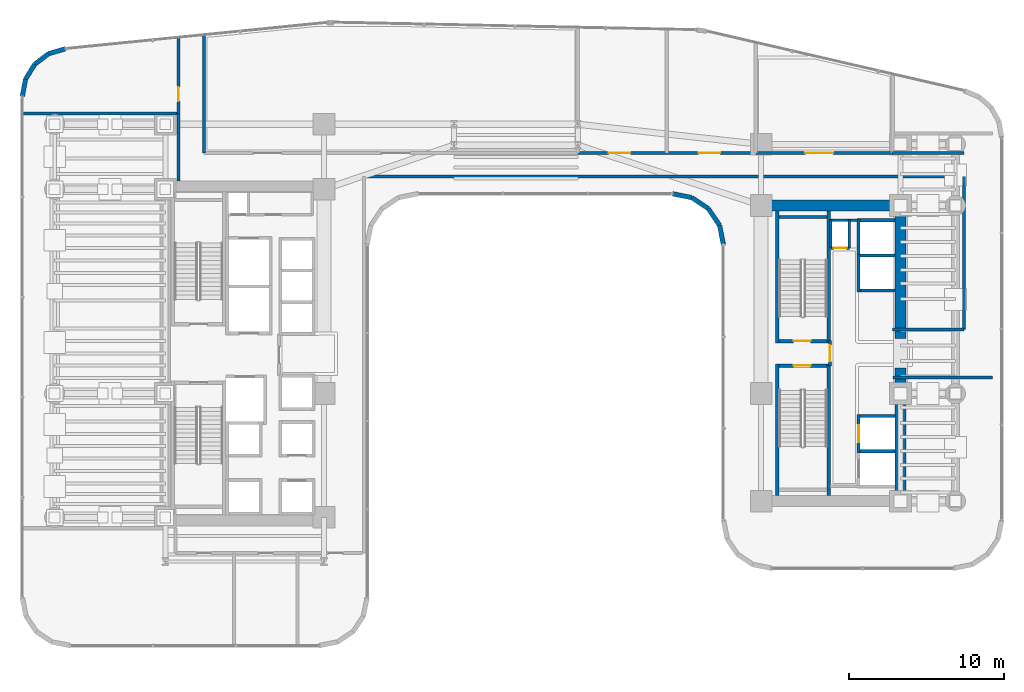
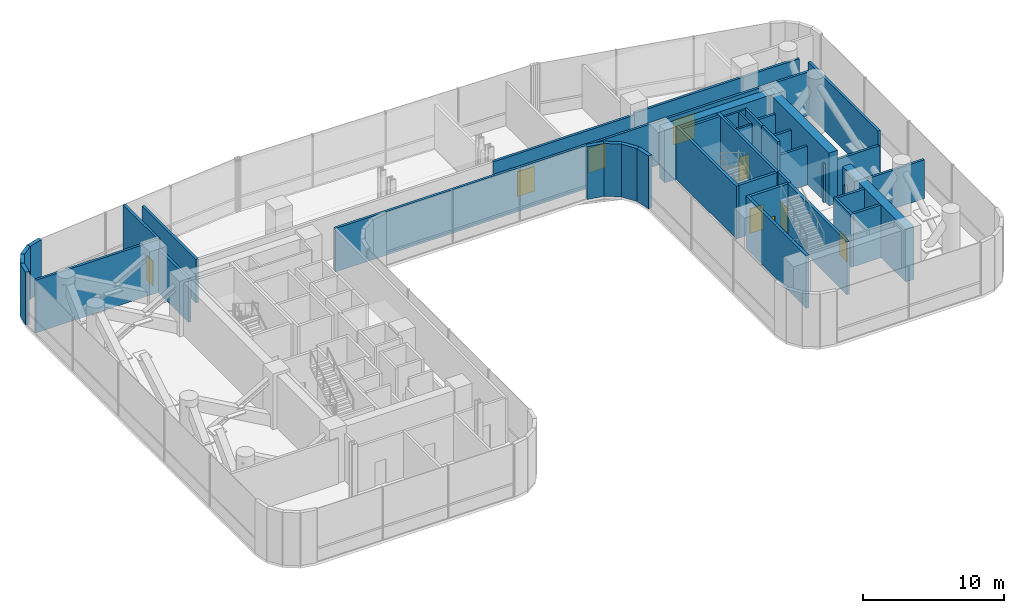
# One storey, part 34 of 39: 42 walls, 9 doors, 9 openings.
"""IFC4 building model written with IfcOpenShell, lengths in metres."""

from ifc_helpers import new_model, si_unit, direction, frame, frame_2d, origin, place, context, subcontext, project, spatial, rectangle, extrude, material, layer, layer_set, type_object, element, fill, save


model = new_model("IFC4")

# Units and contexts
model_context = context("Model", 3, precision=1e-05, world=origin(), true_north=direction((0.0, 1.0)))
body_context = subcontext(model_context, "Body", "Model", "MODEL_VIEW")
ifc_project = project(units=[si_unit("LENGTHUNIT", "METRE"), si_unit("AREAUNIT", "SQUARE_METRE"), si_unit("VOLUMEUNIT", "CUBIC_METRE"), si_unit("PLANEANGLEUNIT", "RADIAN"), si_unit("MASSUNIT", "GRAM", prefix="KILO")], contexts=[model_context])

# Site, building, storey
site_placement = place(None, origin())
site = spatial("IfcSite", under=ifc_project, at=site_placement, CompositionType="ELEMENT")
building_placement = place(site_placement, origin())
building = spatial("IfcBuilding", under=site, at=building_placement, Name="Valdorenza Pilgrim Sanctuary Tower", CompositionType="ELEMENT")
storey_placement = place(building_placement, frame((0.0, 0.0, 96.300048828125)))
storey = spatial("IfcBuildingStorey", under=building, at=storey_placement, Name="L24", CompositionType="ELEMENT", Elevation=96.300048828125)

# Wall, opening, door
ifc_material_1 = material(Name="Acoustic twin-stud gypsum partition", Category="gypsum")
ifc_layer_1 = layer(ifc_material_1, 0.159912109375, Name="Acoustic twin-stud gypsum partition")
ifc_layer_set_1 = layer_set([ifc_layer_1], Name="Acoustic twin-stud gypsum partition")
wall_type_1 = type_object("IfcWallType", Name="WAL-COR-160", PredefinedType="PARTITIONING", material=ifc_layer_set_1)
wall_1_placement = place(storey_placement, frame((20.35009765625, 6.800048828125, 0.0), z_axis=(0.0, 0.0, 1.0), x_axis=(1.0, 0.0, 0.0)))
wall_1 = element("IfcWall", 1, at=wall_1_placement, inside=storey, type_object=wall_type_1, Name="L24 Core B Riser South Wall", PredefinedType="PARTITIONING", context=body_context, shape_type="SweptSolid", body=[
    extrude(rectangle(XDim=1.199951171875, YDim=0.159912109375, at=frame_2d((0.60009765625, 0.0))), origin(), (0.0, 0.0, 1.0), 4.56005859375),
])
opening_1_placement = place(wall_1_placement, frame((0.175048828125, 0.0, 0.0)))
opening_1 = element("IfcOpeningElement", 2, at=opening_1_placement, cuts=wall_1, Name="Opening DR-RS1", PredefinedType="OPENING", context=body_context, shape_type="SweptSolid", body=[
    extrude(rectangle(XDim=0.85009765625, YDim=2.050048828125, at=frame_2d((0.425048828125, 1.02490234375))), frame((0.0, 0.0947265625, 0.0), z_axis=(0.0, -1.0, 0.0), x_axis=(1.0, 0.0, 0.0)), (0.0, 0.0, 1.0), 0.189697265625),
])
ifc_material_2 = material(Name="Painted galvanized steel", Category="steel")
door_type_1 = type_object("IfcDoorType", Name="DR-RSR-850", OperationType="NOTDEFINED", PredefinedType="DOOR", material=ifc_material_2)
door_1_placement = place(opening_1_placement, origin())
door_1 = element("IfcDoor", 3, at=door_1_placement, inside=storey, type_object=door_type_1, Name="L24 Core B Electrical Riser Door", OperationType="SINGLE_SWING_RIGHT", OverallHeight=2.050048828125, OverallWidth=0.85009765625, PredefinedType="DOOR", context=body_context, shape_type="SweptSolid", body=[
    extrude(rectangle(XDim=0.85009765625, YDim=2.050048828125, at=frame_2d((0.425048828125, 1.02490234375))), frame((0.0, 0.02490234375, 0.0), z_axis=(0.0, -1.0, 0.0), x_axis=(1.0, 0.0, 0.0)), (0.0, 0.0, 1.0), 0.050048828125),
])
fill(opening_1, door_1)

# Walls
for number, where, z_axis, x_axis, name in (
    (4, (21.550048828125, 6.800048828125, 0.0), (0.0, 0.0, 1.0), (0.0, 1.0, 0.0), "L24 Core B Riser East Wall"),
    (5, (20.35009765625, 6.800048828125, 0.0), (0.0, 0.0, 1.0), (0.0, 1.0, 0.0), "L24 Core B Riser West Wall"),
):
    element("IfcWall", number, at=place(storey_placement, frame(where, z_axis=z_axis, x_axis=x_axis)), inside=storey, type_object=wall_type_1, Name=name, PredefinedType="PARTITIONING", context=body_context, shape_type="SweptSolid", body=[
        extrude(rectangle(XDim=1.800048828125, YDim=0.159912109375, at=frame_2d((0.89990234375, 0.0))), origin(), (0.0, 0.0, 1.0), 4.56005859375),
    ])
wall_2_placement = place(storey_placement, frame((20.300048828125, 8.60009765625, 0.0), z_axis=(0.0, 0.0, 1.0), x_axis=(1.0, 0.0, 0.0)))
element("IfcWall", 6, at=wall_2_placement, inside=storey, type_object=wall_type_1, Name="L24 Core B Lift Hall North End Wall", PredefinedType="PARTITIONING", context=body_context, shape_type="SweptSolid", body=[
    extrude(rectangle(XDim=1.820068359375, YDim=0.159912109375, at=frame_2d((0.91015625, 0.0))), origin(), (0.0, 0.0, 1.0), 4.56005859375),
])
ifc_material_3 = material(Name="Concrete C60/75", Category="concrete")
ifc_layer_2 = layer(ifc_material_3, 0.699951171875, Name="Concrete C60/75")
ifc_layer_set_2 = layer_set([ifc_layer_2], Name="Concrete C60/75")
wall_type_2 = type_object("IfcWallType", Name="WAL-COR-700", PredefinedType="SHEAR", material=ifc_layer_set_2)
for number, where, z_axis, x_axis, name in (
    (7, (24.85009765625, -9.89990234375, 0.0), (0.0, 0.0, 1.0), (0.0, 1.0, 0.0), "L24 Split Core B Shear Wall ES"),
    (8, (24.85009765625, 0.949951171875, 0.0), (0.0, 0.0, 1.0), (0.0, 1.0, 0.0), "L24 Split Core B Shear Wall EN"),
):
    element("IfcWall", number, at=place(storey_placement, frame(where, z_axis=z_axis, x_axis=x_axis)), inside=storey, type_object=wall_type_2, Name=name, PredefinedType="SHEAR", context=body_context, shape_type="SweptSolid", body=[
        extrude(rectangle(XDim=8.949951171875, YDim=0.699951171875, at=frame_2d((4.47509765625, 0.0))), origin(), (0.0, 0.0, 1.0), 4.56005859375),
    ])
wall_3_placement = place(storey_placement, frame((15.85009765625, 9.550048828125, 0.0), z_axis=(0.0, 0.0, 1.0), x_axis=(1.0, 0.0, 0.0)))
element("IfcWall", 9, at=wall_3_placement, inside=storey, type_object=wall_type_2, Name="L24 Split Core B Shear Wall N", PredefinedType="SHEAR", context=body_context, shape_type="SweptSolid", body=[
    extrude(rectangle(XDim=9.0, YDim=0.699951171875, at=frame_2d((4.5, 0.0))), origin(), (0.0, 0.0, 1.0), 4.56005859375),
])
ifc_material_4 = material(Name="Honed travertine limestone", Category="masonry")
ifc_layer_3 = layer(ifc_material_4, 0.300048828125, Name="Honed travertine limestone")
ifc_layer_set_3 = layer_set([ifc_layer_3], Name="Honed travertine limestone")
wall_type_3 = type_object("IfcWallType", Name="WAL-EXT-300", PredefinedType="SOLIDWALL", material=ifc_layer_set_3)
wall_4_placement = place(storey_placement, frame((-31.889892578125, 16.593994140625, 0.0), z_axis=(0.0, 0.0, 1.0), x_axis=(0.182748995683, 0.9831596028, 0.0)))
element("IfcWall", 10, at=wall_4_placement, inside=storey, type_object=wall_type_3, Name="L24 Rounded Wind-Corner Stone Pier 2", PredefinedType="SOLIDWALL", context=body_context, shape_type="SweptSolid", body=[
    extrude(rectangle(XDim=1.1396484375, YDim=0.300048828125, at=frame_2d((0.56982421875, 0.0))), origin(), (0.0, 0.0, 1.0), 4.56005859375),
])
wall_5_placement = place(storey_placement, frame((-31.681640625, 17.71435546875, 0.0), z_axis=(0.0, 0.0, 1.0), x_axis=(0.524157723014, 0.8516212077, 0.0)))
element("IfcWall", 11, at=wall_5_placement, inside=storey, type_object=wall_type_3, Name="L24 Rounded Wind-Corner Stone Pier 3", PredefinedType="SOLIDWALL", context=body_context, shape_type="SweptSolid", body=[
    extrude(rectangle(XDim=1.12939453125, YDim=0.300048828125, at=frame_2d((0.564697265625, 0.0))), origin(), (0.0, 0.0, 1.0), 4.56005859375),
])
wall_6_placement = place(storey_placement, frame((-31.089599609375, 18.67626953125, 0.0), z_axis=(0.0, 0.0, 1.0), x_axis=(0.795253002434, 0.606277710393, 0.0)))
element("IfcWall", 12, at=wall_6_placement, inside=storey, type_object=wall_type_3, Name="L24 Rounded Wind-Corner Stone Pier 4", PredefinedType="SOLIDWALL", context=body_context, shape_type="SweptSolid", body=[
    extrude(rectangle(XDim=1.129150390625, YDim=0.300048828125, at=frame_2d((0.564453125, 0.0))), origin(), (0.0, 0.0, 1.0), 4.56005859375),
])
wall_7_placement = place(storey_placement, frame((-30.191650390625, 19.36083984375, 0.0), z_axis=(0.0, 0.0, 1.0), x_axis=(0.960071941549, 0.279753225271, 0.0)))
element("IfcWall", 13, at=wall_7_placement, inside=storey, type_object=wall_type_3, Name="L24 Rounded Wind-Corner Stone Pier 5", PredefinedType="SOLIDWALL", context=body_context, shape_type="SweptSolid", body=[
    extrude(rectangle(XDim=1.1396484375, YDim=0.300048828125, at=frame_2d((0.56982421875, 0.0))), origin(), (0.0, 0.0, 1.0), 4.56005859375),
])
wall_8_placement = place(storey_placement, frame((13.409912109375, 7.0107421875, 0.0), z_axis=(0.0, 0.0, 1.0), x_axis=(-0.195090163074, 0.980785312019, 0.0)))
element("IfcWall", 14, at=wall_8_placement, inside=storey, type_object=wall_type_3, Name="L24 Rounded Wind-Corner Stone Pier 32", PredefinedType="SOLIDWALL", context=body_context, shape_type="SweptSolid", body=[
    extrude(rectangle(XDim=1.281494140625, YDim=0.300048828125, at=frame_2d((0.640625, 0.0))), origin(), (0.0, 0.0, 1.0), 4.56005859375),
])
for number, where, z_axis, x_axis, name in (
    (15, (13.159912109375, 8.267578125, 0.0), (0.0, 0.0, 1.0), (-0.555615398575, 0.831439431869, 0.0), "L24 Rounded Wind-Corner Stone Pier 33"),
    (16, (12.44189453125, 9.342041015625, 0.0), (0.0, 0.0, 1.0), (-0.831439431869, 0.555615398575, 0.0), "L24 Rounded Wind-Corner Stone Pier 34"),
):
    element("IfcWall", number, at=place(storey_placement, frame(where, z_axis=z_axis, x_axis=x_axis)), inside=storey, type_object=wall_type_3, Name=name, PredefinedType="SOLIDWALL", context=body_context, shape_type="SweptSolid", body=[
        extrude(rectangle(XDim=1.292236328125, YDim=0.300048828125, at=frame_2d((0.64599609375, 0.0))), origin(), (0.0, 0.0, 1.0), 4.56005859375),
    ])
wall_9_placement = place(storey_placement, frame((11.367431640625, 10.06005859375, 0.0), z_axis=(0.0, 0.0, 1.0), x_axis=(-0.980778058848, 0.195126623715, 0.0)))
element("IfcWall", 17, at=wall_9_placement, inside=storey, type_object=wall_type_3, Name="L24 Rounded Wind-Corner Stone Pier 35", PredefinedType="SOLIDWALL", context=body_context, shape_type="SweptSolid", body=[
    extrude(rectangle(XDim=1.28125, YDim=0.300048828125, at=frame_2d((0.640625, 0.0))), origin(), (0.0, 0.0, 1.0), 4.56005859375),
])

# Wall, opening, door
ifc_material_5 = material(Name="Gypsum shaftwall partition", Category="gypsum")
ifc_layer_4 = layer(ifc_material_5, 0.199951171875, Name="Gypsum shaftwall partition")
ifc_layer_set_4 = layer_set([ifc_layer_4], Name="Gypsum shaftwall partition")
wall_type_4 = type_object("IfcWallType", Name="WAL-FFL-200", PredefinedType="PARTITIONING", material=ifc_layer_set_4)
wall_10_placement = place(storey_placement, frame((20.300048828125, -0.820068359375, 0.0), z_axis=(0.0, 0.0, 1.0), x_axis=(0.0, 1.0, 0.0)))
wall_10 = element("IfcWall", 18, at=wall_10_placement, inside=storey, type_object=wall_type_4, Name="L24 Core B Firefighting Lobby East Wall", PredefinedType="PARTITIONING", context=body_context, shape_type="SweptSolid", body=[
    extrude(rectangle(XDim=1.64013671875, YDim=0.199951171875, at=frame_2d((0.820068359375, 0.0))), origin(), (0.0, 0.0, 1.0), 4.56005859375),
])
opening_2_placement = place(wall_10_placement, frame((0.294921875, 0.0, 0.0)))
opening_2 = element("IfcOpeningElement", 19, at=opening_2_placement, cuts=wall_10, Name="Opening DR-FL1", PredefinedType="OPENING", context=body_context, shape_type="SweptSolid", body=[
    extrude(rectangle(XDim=1.050048828125, YDim=2.14990234375, at=frame_2d((0.52490234375, 1.074951171875))), frame((0.0, 0.11474609375, 0.0), z_axis=(0.0, -1.0, 0.0), x_axis=(1.0, 0.0, 0.0)), (0.0, 0.0, 1.0), 0.229736328125),
])
door_type_2 = type_object("IfcDoorType", Name="DR-FFL-1050", OperationType="NOTDEFINED", PredefinedType="DOOR", material=ifc_material_2)
door_2_placement = place(opening_2_placement, frame((1.050048828125, 0.0, 0.0), z_axis=(0.0, 0.0, 1.0), x_axis=(-1.0, 0.0, 0.0)))
door_2 = element("IfcDoor", 20, at=door_2_placement, inside=storey, type_object=door_type_2, Name="L24 Core B Firefighting Lobby Door", OperationType="SINGLE_SWING_LEFT", OverallHeight=2.14990234375, OverallWidth=1.050048828125, PredefinedType="DOOR", context=body_context, shape_type="SweptSolid", body=[
    extrude(rectangle(XDim=1.050048828125, YDim=2.14990234375, at=frame_2d((0.52490234375, 1.074951171875))), frame((0.0, 0.02490234375, 0.0), z_axis=(0.0, -1.0, 0.0), x_axis=(1.0, 0.0, 0.0)), (0.0, 0.0, 1.0), 0.050048828125),
])
fill(opening_2, door_2)

# Walls
wall_11_placement = place(storey_placement, frame((-31.889892578125, 15.5, 0.0), z_axis=(0.0, 0.0, 1.0), x_axis=(1.0, 0.0, 0.0)))
element("IfcWall", 21, at=wall_11_placement, inside=storey, type_object=wall_type_4, Name="L24 L24 Outrigger Bay North Wall", PredefinedType="PARTITIONING", context=body_context, shape_type="SweptSolid", body=[
    extrude(rectangle(XDim=10.08984375, YDim=0.199951171875, at=frame_2d((5.044921875, 0.0))), origin(), (0.0, 0.0, 1.0), 4.56005859375),
])
wall_12_placement = place(storey_placement, frame((-21.800048828125, 11.14990234375, 0.0), z_axis=(0.0, 0.0, 1.0), x_axis=(0.0, 1.0, 0.0)))
element("IfcWall", 22, at=wall_12_placement, inside=storey, type_object=wall_type_4, Name="L24 L24 Outrigger Bay NE Wall", PredefinedType="PARTITIONING", context=body_context, shape_type="SweptSolid", body=[
    extrude(rectangle(XDim=4.35009765625, YDim=0.199951171875, at=frame_2d((2.175048828125, 0.0))), origin(), (0.0, 0.0, 1.0), 3.765869140625),
])

# Wall, opening, door
wall_13_placement = place(storey_placement, frame((-21.800048828125, 15.5, 0.0), z_axis=(0.0, 0.0, 1.0), x_axis=(0.0, 1.0, 0.0)))
wall_13 = element("IfcWall", 23, at=wall_13_placement, inside=storey, type_object=wall_type_4, Name="L24 L24 NW Plant East Wall", PredefinedType="PARTITIONING", context=body_context, shape_type="SweptSolid", body=[
    extrude(rectangle(XDim=4.909423828125, YDim=0.199951171875, at=frame_2d((2.45458984375, 0.0))), origin(), (0.0, 0.0, 1.0), 4.56005859375),
])
opening_3_placement = place(wall_13_placement, frame((0.800048828125, 0.0, 0.0)))
opening_3 = element("IfcOpeningElement", 24, at=opening_3_placement, cuts=wall_13, Name="Opening DR-RM1", PredefinedType="OPENING", context=body_context, shape_type="SweptSolid", body=[
    extrude(rectangle(XDim=0.89990234375, YDim=2.10009765625, at=frame_2d((0.449951171875, 1.050048828125))), frame((0.0, 0.11474609375, 0.0), z_axis=(0.0, -1.0, 0.0), x_axis=(1.0, 0.0, 0.0)), (0.0, 0.0, 1.0), 0.229736328125),
])
ifc_material_6 = material(Name="Solid-core European oak timber", Category="wood")
door_type_3 = type_object("IfcDoorType", Name="DR-ROOM-900", OperationType="NOTDEFINED", PredefinedType="DOOR", material=ifc_material_6)
door_3_placement = place(opening_3_placement, origin())
door_3 = element("IfcDoor", 25, at=door_3_placement, inside=storey, type_object=door_type_3, Name="L24 L24 Stair Pressurisation Fan Plant Room Door", OperationType="SINGLE_SWING_LEFT", OverallHeight=2.10009765625, OverallWidth=0.89990234375, PredefinedType="DOOR", context=body_context, shape_type="SweptSolid", body=[
    extrude(rectangle(XDim=0.89990234375, YDim=2.10009765625, at=frame_2d((0.449951171875, 1.050048828125))), frame((0.0, 0.02490234375, 0.0), z_axis=(0.0, -1.0, 0.0), x_axis=(1.0, 0.0, 0.0)), (0.0, 0.0, 1.0), 0.050048828125),
])
fill(opening_3, door_3)

# Wall
wall_14_placement = place(storey_placement, frame((-20.14990234375, 12.949951171875, 0.0), z_axis=(0.0, 0.0, 1.0), x_axis=(0.0, 1.0, 0.0)))
element("IfcWall", 26, at=wall_14_placement, inside=storey, type_object=wall_type_4, Name="L24 Primary Refuge West Wall", PredefinedType="PARTITIONING", context=body_context, shape_type="SweptSolid", body=[
    extrude(rectangle(XDim=7.62451171875, YDim=0.199951171875, at=frame_2d((3.812255859375, 0.0))), origin(), (0.0, 0.0, 1.0), 3.765869140625),
])

# Wall, openings, doors
wall_15_placement = place(storey_placement, frame((4.0, 12.949951171875, 0.0), z_axis=(0.0, 0.0, 1.0), x_axis=(1.0, 0.0, 0.0)))
wall_15 = element("IfcWall", 27, at=wall_15_placement, inside=storey, type_object=wall_type_4, Name="L24 L24 Knuckle Plant South Wall", PredefinedType="PARTITIONING", context=body_context, shape_type="SweptSolid", body=[
    extrude(rectangle(XDim=11.5, YDim=0.199951171875, at=frame_2d((5.75, 0.0))), origin(), (0.0, 0.0, 1.0), 3.765869140625),
])
opening_4_placement = place(wall_15_placement, frame((2.0, 0.0, 0.0)))
opening_4 = element("IfcOpeningElement", 28, at=opening_4_placement, cuts=wall_15, Name="Opening DR-PL1", PredefinedType="OPENING", context=body_context, shape_type="SweptSolid", body=[
    extrude(rectangle(XDim=1.39990234375, YDim=2.14990234375, at=frame_2d((0.699951171875, 1.074951171875))), frame((0.0, 0.11474609375, 0.0), z_axis=(0.0, -1.0, 0.0), x_axis=(1.0, 0.0, 0.0)), (0.0, 0.0, 1.0), 0.229736328125),
])
opening_5_placement = place(wall_15_placement, frame((7.800048828125, 0.0, 0.0)))
opening_5 = element("IfcOpeningElement", 29, at=opening_5_placement, cuts=wall_15, Name="Opening DR-PL1", PredefinedType="OPENING", context=body_context, shape_type="SweptSolid", body=[
    extrude(rectangle(XDim=1.39990234375, YDim=2.14990234375, at=frame_2d((0.699951171875, 1.074951171875))), frame((0.0, 0.11474609375, 0.0), z_axis=(0.0, -1.0, 0.0), x_axis=(1.0, 0.0, 0.0)), (0.0, 0.0, 1.0), 0.229736328125),
])
door_type_4 = type_object("IfcDoorType", Name="DR-PLT-1400", OperationType="NOTDEFINED", PredefinedType="DOOR", material=ifc_material_2)
door_4_placement = place(opening_4_placement, frame((1.39990234375, 0.0, 0.0), z_axis=(0.0, 0.0, 1.0), x_axis=(-1.0, 0.0, 0.0)))
door_4 = element("IfcDoor", 30, at=door_4_placement, inside=storey, type_object=door_type_4, Name="L24 L24 North AHU and Filtration Plant Room Door", OperationType="DOUBLE_DOOR_SINGLE_SWING", OverallHeight=2.14990234375, OverallWidth=1.39990234375, PredefinedType="DOOR", context=body_context, shape_type="SweptSolid", body=[
    extrude(rectangle(XDim=1.39990234375, YDim=2.14990234375, at=frame_2d((0.699951171875, 1.074951171875))), frame((0.0, 0.02490234375, 0.0), z_axis=(0.0, -1.0, 0.0), x_axis=(1.0, 0.0, 0.0)), (0.0, 0.0, 1.0), 0.050048828125),
])
fill(opening_4, door_4)
door_5_placement = place(opening_5_placement, origin())
door_5 = element("IfcDoor", 31, at=door_5_placement, inside=storey, type_object=door_type_4, Name="L24 L24 Domestic Water Transfer Plant Room Door", OperationType="DOUBLE_DOOR_SINGLE_SWING", OverallHeight=2.14990234375, OverallWidth=1.39990234375, PredefinedType="DOOR", context=body_context, shape_type="SweptSolid", body=[
    extrude(rectangle(XDim=1.39990234375, YDim=2.14990234375, at=frame_2d((0.699951171875, 1.074951171875))), frame((0.0, 0.02490234375, 0.0), z_axis=(0.0, -1.0, 0.0), x_axis=(1.0, 0.0, 0.0)), (0.0, 0.0, 1.0), 0.050048828125),
])
fill(opening_5, door_5)

# Wall, opening, door
wall_16_placement = place(storey_placement, frame((15.5, 12.949951171875, 0.0), z_axis=(0.0, 0.0, 1.0), x_axis=(1.0, 0.0, 0.0)))
wall_16 = element("IfcWall", 32, at=wall_16_placement, inside=storey, type_object=wall_type_4, Name="L24 East Refuge South Wall", PredefinedType="PARTITIONING", context=body_context, shape_type="SweptSolid", body=[
    extrude(rectangle(XDim=8.85009765625, YDim=0.199951171875, at=frame_2d((4.425048828125, 0.0))), origin(), (0.0, 0.0, 1.0), 3.933837890625),
])
opening_6_placement = place(wall_16_placement, frame((3.199951171875, 0.0, 0.0)))
opening_6 = element("IfcOpeningElement", 33, at=opening_6_placement, cuts=wall_16, Name="Opening DR-HL1", PredefinedType="OPENING", context=body_context, shape_type="SweptSolid", body=[
    extrude(rectangle(XDim=1.800048828125, YDim=2.14990234375, at=frame_2d((0.89990234375, 1.074951171875))), frame((0.0, 0.11474609375, 0.0), z_axis=(0.0, -1.0, 0.0), x_axis=(1.0, 0.0, 0.0)), (0.0, 0.0, 1.0), 0.229736328125),
])
ifc_material_7 = material(Name="Acoustic oak and vision-glass double door", Category="glass")
door_type_5 = type_object("IfcDoorType", Name="DR-HALL-1800", OperationType="NOTDEFINED", PredefinedType="DOOR", material=ifc_material_7)
door_6_placement = place(opening_6_placement, frame((1.800048828125, 0.0, 0.0), z_axis=(0.0, 0.0, 1.0), x_axis=(-1.0, 0.0, 0.0)))
door_6 = element("IfcDoor", 34, at=door_6_placement, inside=storey, type_object=door_type_5, Name="L24 East Smokeproof Refuge Area Door", OperationType="DOUBLE_DOOR_SINGLE_SWING", OverallHeight=2.14990234375, OverallWidth=1.800048828125, PredefinedType="DOOR", context=body_context, shape_type="SweptSolid", body=[
    extrude(rectangle(XDim=1.800048828125, YDim=2.14990234375, at=frame_2d((0.89990234375, 1.074951171875))), frame((0.0, 0.02490234375, 0.0), z_axis=(0.0, -1.0, 0.0), x_axis=(1.0, 0.0, 0.0)), (0.0, 0.0, 1.0), 0.050048828125),
])
fill(opening_6, door_6)

# Walls
wall_17_placement = place(storey_placement, frame((24.35009765625, 1.550048828125, 0.0), z_axis=(0.0, 0.0, 1.0), x_axis=(1.0, 0.0, 0.0)))
element("IfcWall", 35, at=wall_17_placement, inside=storey, type_object=wall_type_4, Name="L24 L24 East Outrigger North Throat Wall", PredefinedType="PARTITIONING", context=body_context, shape_type="SweptSolid", body=[
    extrude(rectangle(XDim=4.599853515625, YDim=0.199951171875, at=frame_2d((2.2998046875, 0.0))), origin(), (0.0, 0.0, 1.0), 3.344970703125),
])
wall_18_placement = place(storey_placement, frame((24.35009765625, -1.550048828125, 0.0), z_axis=(0.0, 0.0, 1.0), x_axis=(1.0, 0.0, 0.0)))
element("IfcWall", 36, at=wall_18_placement, inside=storey, type_object=wall_type_4, Name="L24 L24 East Outrigger South Throat Wall", PredefinedType="PARTITIONING", context=body_context, shape_type="SweptSolid", body=[
    extrude(rectangle(XDim=6.449951171875, YDim=0.199951171875, at=frame_2d((3.22509765625, 0.0))), origin(), (0.0, 0.0, 1.0), 3.344970703125),
])
wall_19_placement = place(storey_placement, frame((28.949951171875, 1.550048828125, 0.0), z_axis=(0.0, 0.0, 1.0), x_axis=(0.0, 1.0, 0.0)))
element("IfcWall", 37, at=wall_19_placement, inside=storey, type_object=wall_type_4, Name="L24 L24 East Belt Corridor West Wall", PredefinedType="PARTITIONING", context=body_context, shape_type="SweptSolid", body=[
    extrude(rectangle(XDim=9.869873046875, YDim=0.199951171875, at=frame_2d((4.93505859375, 0.0))), origin(), (0.0, 0.0, 1.0), 4.56005859375),
])
wall_20_placement = place(storey_placement, frame((24.35009765625, 12.949951171875, 0.0), z_axis=(0.0, 0.0, 1.0), x_axis=(1.0, 0.0, 0.0)))
element("IfcWall", 38, at=wall_20_placement, inside=storey, type_object=wall_type_4, Name="L24 L24 East Corridor North Wall", PredefinedType="PARTITIONING", context=body_context, shape_type="SweptSolid", body=[
    extrude(rectangle(XDim=4.599853515625, YDim=0.199951171875, at=frame_2d((2.2998046875, 0.0))), origin(), (0.0, 0.0, 1.0), 3.933837890625),
])
wall_21_placement = place(storey_placement, frame((-9.800048828125, 11.419921875, 0.0), z_axis=(0.0, 0.0, 1.0), x_axis=(1.0, 0.0, 0.0)))
element("IfcWall", 39, at=wall_21_placement, inside=storey, type_object=wall_type_4, Name="L24 L24 Knuckle Corridor South Wall", PredefinedType="PARTITIONING", context=body_context, shape_type="SweptSolid", body=[
    extrude(rectangle(XDim=38.75, YDim=0.199951171875, at=frame_2d((19.375, 0.0))), origin(), (0.0, 0.0, 1.0), 3.765869140625),
])
ifc_material_8 = material(Name="Autoclaved aerated concrete blockwork", Category="masonry")
ifc_layer_5 = layer(ifc_material_8, 0.199951171875, Name="Autoclaved aerated concrete blockwork")
ifc_layer_set_5 = layer_set([ifc_layer_5], Name="Autoclaved aerated concrete blockwork")
wall_type_5 = type_object("IfcWallType", Name="WAL-SHF-200", PredefinedType="MOVABLE", material=ifc_layer_set_5)
wall_22_placement = place(storey_placement, frame((22.25, -6.324951171875, 0.0), z_axis=(0.0, 0.0, 1.0), x_axis=(1.0, 0.0, 0.0)))
element("IfcWall", 40, at=wall_22_placement, inside=storey, type_object=wall_type_5, Name="L24 Lift PL-03 Hoistway Wall North", PredefinedType="MOVABLE", context=body_context, shape_type="SweptSolid", body=[
    extrude(rectangle(XDim=2.22998046875, YDim=0.199951171875, at=frame_2d((1.114990234375, 0.0))), origin(), (0.0, 0.0, 1.0), 4.56005859375),
])

# Wall, opening, door
wall_23_placement = place(storey_placement, frame((22.14990234375, -6.425048828125, 0.0), z_axis=(0.0, 0.0, 1.0), x_axis=(0.0, 1.0, 0.0)))
wall_23 = element("IfcWall", 41, at=wall_23_placement, inside=storey, type_object=wall_type_5, Name="L24 Lift PL-04 Hoistway Wall West", PredefinedType="MOVABLE", context=body_context, shape_type="SweptSolid", body=[
    extrude(rectangle(XDim=2.47509765625, YDim=0.199951171875, at=frame_2d((1.237548828125, 0.0))), origin(), (0.0, 0.0, 1.0), 4.56005859375),
])
opening_7_placement = place(wall_23_placement, frame((0.6875, 0.0, 0.0)))
opening_7 = element("IfcOpeningElement", 42, at=opening_7_placement, cuts=wall_23, Name="Opening LD-01", PredefinedType="OPENING", context=body_context, shape_type="SweptSolid", body=[
    extrude(rectangle(XDim=1.10009765625, YDim=2.10009765625, at=frame_2d((0.550048828125, 1.050048828125))), frame((0.0, 0.11474609375, 0.0), z_axis=(0.0, -1.0, 0.0), x_axis=(1.0, 0.0, 0.0)), (0.0, 0.0, 1.0), 0.229736328125),
])
ifc_material_9 = material(Name="Brushed stainless steel Grade 316", Category="steel")
door_type_6 = type_object("IfcDoorType", Name="DR-LFT-1100", OperationType="DOUBLE_DOOR_SLIDING", PredefinedType="DOOR", material=ifc_material_9)
door_7_placement = place(opening_7_placement, origin())
door_7 = element("IfcDoor", 43, at=door_7_placement, inside=storey, type_object=door_type_6, Name="L24 Lift PL-04 Sliding Landing Door", OperationType="DOUBLE_DOOR_SLIDING", OverallHeight=2.10009765625, OverallWidth=1.10009765625, PredefinedType="DOOR", context=body_context, shape_type="SweptSolid", body=[
    extrude(rectangle(XDim=1.10009765625, YDim=2.10009765625, at=frame_2d((0.550048828125, 1.050048828125))), frame((0.0, 0.02490234375, 0.0), z_axis=(0.0, -1.0, 0.0), x_axis=(1.0, 0.0, 0.0)), (0.0, 0.0, 1.0), 0.050048828125),
])
fill(opening_7, door_7)

# Walls
wall_24_placement = place(storey_placement, frame((22.25, -4.050048828125, 0.0), z_axis=(0.0, 0.0, 1.0), x_axis=(1.0, 0.0, 0.0)))
element("IfcWall", 44, at=wall_24_placement, inside=storey, type_object=wall_type_5, Name="L24 Lift PL-04 Hoistway Wall North", PredefinedType="MOVABLE", context=body_context, shape_type="SweptSolid", body=[
    extrude(rectangle(XDim=2.22998046875, YDim=0.199951171875, at=frame_2d((1.114990234375, 0.0))), origin(), (0.0, 0.0, 1.0), 4.56005859375),
])
wall_25_placement = place(storey_placement, frame((22.14990234375, 3.949951171875, 0.0), z_axis=(0.0, 0.0, 1.0), x_axis=(0.0, 1.0, 0.0)))
element("IfcWall", 45, at=wall_25_placement, inside=storey, type_object=wall_type_5, Name="L24 Lift PL-07 Hoistway Wall West", PredefinedType="MOVABLE", context=body_context, shape_type="SweptSolid", body=[
    extrude(rectangle(XDim=2.47509765625, YDim=0.199951171875, at=frame_2d((1.237548828125, 0.0))), origin(), (0.0, 0.0, 1.0), 4.56005859375),
])
for number, where, z_axis, x_axis, name in (
    (46, (22.25, 4.050048828125, 0.0), (0.0, 0.0, 1.0), (1.0, 0.0, 0.0), "L24 Lift PL-07 Hoistway Wall South"),
    (47, (22.25, 6.324951171875, 0.0), (0.0, 0.0, 1.0), (1.0, 0.0, 0.0), "L24 Lift PL-07 Hoistway Wall North"),
):
    element("IfcWall", number, at=place(storey_placement, frame(where, z_axis=z_axis, x_axis=x_axis)), inside=storey, type_object=wall_type_5, Name=name, PredefinedType="MOVABLE", context=body_context, shape_type="SweptSolid", body=[
        extrude(rectangle(XDim=2.22998046875, YDim=0.199951171875, at=frame_2d((1.114990234375, 0.0))), origin(), (0.0, 0.0, 1.0), 3.344970703125),
    ])
wall_26_placement = place(storey_placement, frame((22.14990234375, 6.22509765625, 0.0), z_axis=(0.0, 0.0, 1.0), x_axis=(0.0, 1.0, 0.0)))
element("IfcWall", 48, at=wall_26_placement, inside=storey, type_object=wall_type_5, Name="L24 Lift PL-08 Hoistway Wall West", PredefinedType="MOVABLE", context=body_context, shape_type="SweptSolid", body=[
    extrude(rectangle(XDim=2.474853515625, YDim=0.199951171875, at=frame_2d((1.2373046875, 0.0))), origin(), (0.0, 0.0, 1.0), 4.56005859375),
])
wall_27_placement = place(storey_placement, frame((22.25, 8.60009765625, 0.0), z_axis=(0.0, 0.0, 1.0), x_axis=(1.0, 0.0, 0.0)))
element("IfcWall", 49, at=wall_27_placement, inside=storey, type_object=wall_type_5, Name="L24 Lift PL-08 Hoistway Wall North", PredefinedType="MOVABLE", context=body_context, shape_type="SweptSolid", body=[
    extrude(rectangle(XDim=2.22998046875, YDim=0.199951171875, at=frame_2d((1.114990234375, 0.0))), origin(), (0.0, 0.0, 1.0), 3.344970703125),
])
ifc_material_10 = material(Name="Concrete C40/50", Category="concrete")
ifc_layer_6 = layer(ifc_material_10, 0.219970703125, Name="Concrete C40/50")
ifc_layer_set_6 = layer_set([ifc_layer_6], Name="Concrete C40/50")
wall_type_6 = type_object("IfcWallType", Name="WAL-STR-SHF-220", PredefinedType="SHEAR", material=ifc_layer_set_6)
for number, where, z_axis, x_axis, name in (
    (50, (16.889892578125, 0.679931640625, 0.0), (0.0, 0.0, 1.0), (0.0, 1.0, 0.0), "L24 ST-B1 Structural Stairwell Wall W"),
    (51, (20.219970703125, 0.679931640625, 0.0), (0.0, 0.0, 1.0), (0.0, 1.0, 0.0), "L24 ST-B1 Structural Stairwell Wall E"),
):
    element("IfcWall", number, at=place(storey_placement, frame(where, z_axis=z_axis, x_axis=x_axis)), inside=storey, type_object=wall_type_6, Name=name, PredefinedType="SHEAR", context=body_context, shape_type="SweptSolid", body=[
        extrude(rectangle(XDim=8.52001953125, YDim=0.219970703125, at=frame_2d((4.260009765625, 0.0))), origin(), (0.0, 0.0, 1.0), 4.56005859375),
    ])

# Wall, opening, door
wall_28_placement = place(storey_placement, frame((17.0, 0.7900390625, 0.0), z_axis=(0.0, 0.0, 1.0), x_axis=(1.0, 0.0, 0.0)))
wall_28 = element("IfcWall", 52, at=wall_28_placement, inside=storey, type_object=wall_type_6, Name="L24 ST-B1 Structural Stairwell Wall S", PredefinedType="SHEAR", context=body_context, shape_type="SweptSolid", body=[
    extrude(rectangle(XDim=3.110107421875, YDim=0.219970703125, at=frame_2d((1.55517578125, 0.0))), origin(), (0.0, 0.0, 1.0), 4.56005859375),
])
opening_8_placement = place(wall_28_placement, frame((0.949951171875, 0.0, 0.0)))
opening_8 = element("IfcOpeningElement", 53, at=opening_8_placement, cuts=wall_28, Name="Opening DR-ST1", PredefinedType="OPENING", context=body_context, shape_type="SweptSolid", body=[
    extrude(rectangle(XDim=1.10009765625, YDim=2.14990234375, at=frame_2d((0.550048828125, 1.074951171875))), frame((0.0, 0.125, 0.0), z_axis=(0.0, -1.0, 0.0), x_axis=(1.0, 0.0, 0.0)), (0.0, 0.0, 1.0), 0.249755859375),
])
door_type_7 = type_object("IfcDoorType", Name="DR-STAIR-1100", OperationType="NOTDEFINED", PredefinedType="DOOR", material=ifc_material_2)
door_8_placement = place(opening_8_placement, origin())
door_8 = element("IfcDoor", 54, at=door_8_placement, inside=storey, type_object=door_type_7, Name="L24 Exit Stair ST-B1 Door", OperationType="SINGLE_SWING_RIGHT", OverallHeight=2.14990234375, OverallWidth=1.10009765625, PredefinedType="DOOR", context=body_context, shape_type="SweptSolid", body=[
    extrude(rectangle(XDim=1.10009765625, YDim=2.14990234375, at=frame_2d((0.550048828125, 1.074951171875))), frame((0.0, 0.02490234375, 0.0), z_axis=(0.0, -1.0, 0.0), x_axis=(1.0, 0.0, 0.0)), (0.0, 0.0, 1.0), 0.050048828125),
])
fill(opening_8, door_8)

# Walls
wall_29_placement = place(storey_placement, frame((17.0, 8.81005859375, 0.0), z_axis=(0.0, 0.0, 1.0), x_axis=(1.0, 0.0, 0.0)))
element("IfcWall", 55, at=wall_29_placement, inside=storey, type_object=wall_type_6, Name="L24 ST-B1 Structural Stairwell Wall N", PredefinedType="SHEAR", context=body_context, shape_type="SweptSolid", body=[
    extrude(rectangle(XDim=3.110107421875, YDim=0.219970703125, at=frame_2d((1.55517578125, 0.0))), origin(), (0.0, 0.0, 1.0), 4.56005859375),
])
for number, where, z_axis, x_axis, name in (
    (56, (16.889892578125, -9.199951171875, 0.0), (0.0, 0.0, 1.0), (0.0, 1.0, 0.0), "L24 ST-B2 Structural Stairwell Wall W"),
    (57, (20.219970703125, -9.199951171875, 0.0), (0.0, 0.0, 1.0), (0.0, 1.0, 0.0), "L24 ST-B2 Structural Stairwell Wall E"),
):
    element("IfcWall", number, at=place(storey_placement, frame(where, z_axis=z_axis, x_axis=x_axis)), inside=storey, type_object=wall_type_6, Name=name, PredefinedType="SHEAR", context=body_context, shape_type="SweptSolid", body=[
        extrude(rectangle(XDim=8.52001953125, YDim=0.219970703125, at=frame_2d((4.260009765625, 0.0))), origin(), (0.0, 0.0, 1.0), 4.56005859375),
    ])

# Wall, opening, door
wall_30_placement = place(storey_placement, frame((17.0, -0.7900390625, 0.0), z_axis=(0.0, 0.0, 1.0), x_axis=(1.0, 0.0, 0.0)))
wall_30 = element("IfcWall", 58, at=wall_30_placement, inside=storey, type_object=wall_type_6, Name="L24 ST-B2 Structural Stairwell Wall N", PredefinedType="SHEAR", context=body_context, shape_type="SweptSolid", body=[
    extrude(rectangle(XDim=3.110107421875, YDim=0.219970703125, at=frame_2d((1.55517578125, 0.0))), origin(), (0.0, 0.0, 1.0), 4.56005859375),
])
opening_9_placement = place(wall_30_placement, frame((0.949951171875, 0.0, 0.0)))
opening_9 = element("IfcOpeningElement", 59, at=opening_9_placement, cuts=wall_30, Name="Opening DR-ST1", PredefinedType="OPENING", context=body_context, shape_type="SweptSolid", body=[
    extrude(rectangle(XDim=1.10009765625, YDim=2.14990234375, at=frame_2d((0.550048828125, 1.074951171875))), frame((0.0, 0.125, 0.0), z_axis=(0.0, -1.0, 0.0), x_axis=(1.0, 0.0, 0.0)), (0.0, 0.0, 1.0), 0.249755859375),
])
door_9_placement = place(opening_9_placement, frame((1.10009765625, 0.0, 0.0), z_axis=(0.0, 0.0, 1.0), x_axis=(-1.0, 0.0, 0.0)))
door_9 = element("IfcDoor", 60, at=door_9_placement, inside=storey, type_object=door_type_7, Name="L24 Exit Stair ST-B2 Door", OperationType="SINGLE_SWING_LEFT", OverallHeight=2.14990234375, OverallWidth=1.10009765625, PredefinedType="DOOR", context=body_context, shape_type="SweptSolid", body=[
    extrude(rectangle(XDim=1.10009765625, YDim=2.14990234375, at=frame_2d((0.550048828125, 1.074951171875))), frame((0.0, 0.02490234375, 0.0), z_axis=(0.0, -1.0, 0.0), x_axis=(1.0, 0.0, 0.0)), (0.0, 0.0, 1.0), 0.050048828125),
])
fill(opening_9, door_9)

save(model, "model.ifc")
